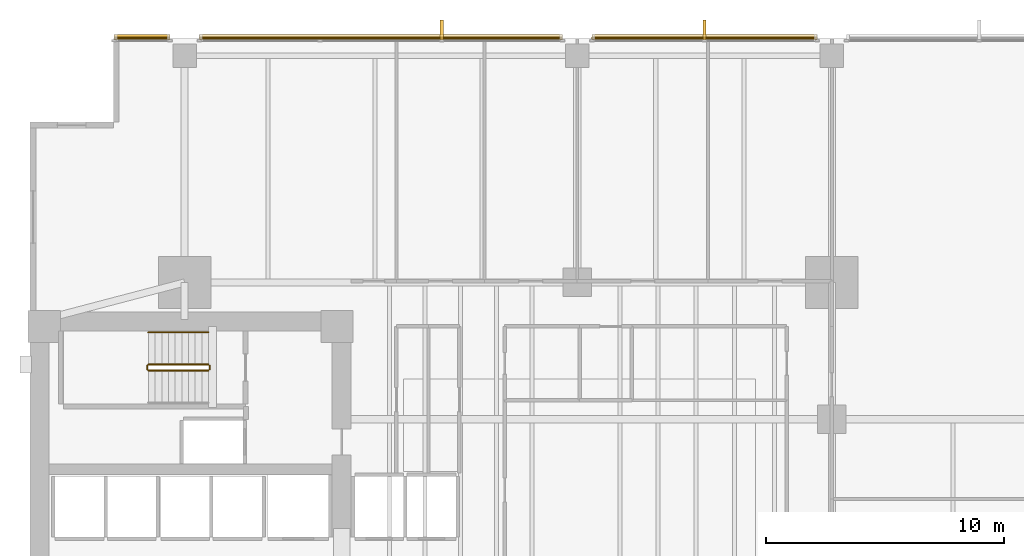
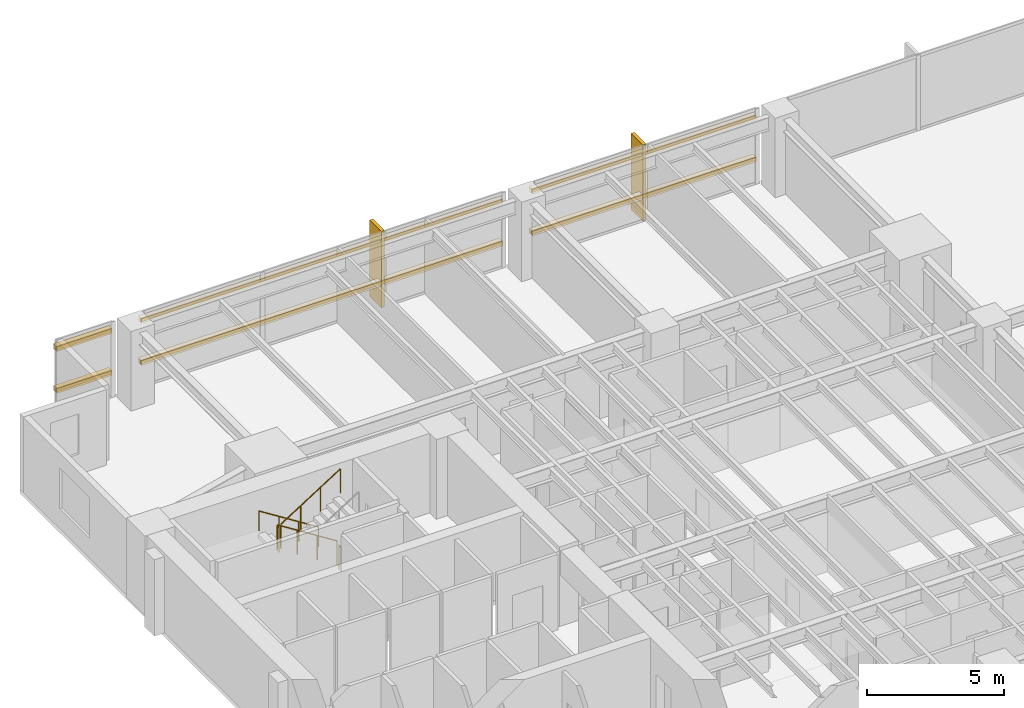
# One storey, part 14 of 15: 8 coverings, 6 shading devices, 5 railings.
"""IFC4 building model written with IfcOpenShell, lengths in metres."""

from ifc_helpers import new_model, si_unit, direction, frame, origin, origin_2d, place, context, subcontext, project, spatial, polyline, rectangle, circle, outline, extrude, material, layer, layer_set, material_profile, profile_set, type_object, element, save


model = new_model("IFC4")

# Units and contexts
model_context = context("Model", 3, precision=1e-05, world=origin(), true_north=direction((0.0, 1.0)))
body_context = subcontext(model_context, "Body", "Model", "MODEL_VIEW")
ifc_project = project(units=[si_unit("LENGTHUNIT", "METRE"), si_unit("AREAUNIT", "SQUARE_METRE"), si_unit("VOLUMEUNIT", "CUBIC_METRE"), si_unit("PLANEANGLEUNIT", "RADIAN"), si_unit("MASSUNIT", "GRAM", prefix="KILO")], contexts=[model_context])

# Site, building, storey
site_placement = place(None, origin())
site = spatial("IfcSite", under=ifc_project, at=site_placement, CompositionType="ELEMENT")
building_placement = place(site_placement, origin())
building = spatial("IfcBuilding", under=site, at=building_placement, Name="Kinhvarn Gate Tower", CompositionType="ELEMENT")
storey_placement = place(building_placement, frame((0.0, 0.0, 57.550048828125)))
storey = spatial("IfcBuildingStorey", under=building, at=storey_placement, Name="L14", CompositionType="ELEMENT", Elevation=57.550048828125)

# Coverings
ifc_material_1 = material(Name="Fired architectural terracotta", Category="masonry")
ifc_layer_1 = layer(ifc_material_1, 0.239990234375)
ifc_layer_set_1 = layer_set([ifc_layer_1], Name="Fired architectural terracotta")
covering_type_1 = type_object("IfcCoveringType", Name="COV-BAG-220", PredefinedType="CLADDING", material=ifc_layer_set_1)
for number, where, name in (
    (1, (0.0, 0.0, 0.93994140625), "Terracotta Horizontal Sunscreen Band TBG-220 (L14)"),
    (2, (0.0, 0.0, 2.81005859375), "Terracotta Horizontal Sunscreen Band TBG-220 (L14)"),
):
    element("IfcCovering", number, at=place(storey_placement, frame(where)), inside=storey, type_object=covering_type_1, Name=name, PredefinedType="CLADDING", context=body_context, shape_type="SweptSolid", body=[
        extrude(outline(polyline([(37.580078125, 47.93994140625), (28.1201171875, 47.93994140625), (28.1201171875, 48.179931640625), (37.580078125, 48.179931640625), (37.580078125, 47.93994140625)])), origin(), (0.0, 0.0, 1.0), 0.219970703125),
    ])
for number, where, name in (
    (3, (0.0, 0.0, 0.93994140625), "Terracotta Horizontal Sunscreen Band TBG-220 (L14)"),
    (4, (0.0, 0.0, 2.81005859375), "Terracotta Horizontal Sunscreen Band TBG-220 (L14)"),
):
    element("IfcCovering", number, at=place(storey_placement, frame(where)), inside=storey, type_object=covering_type_1, Name=name, PredefinedType="CLADDING", context=body_context, shape_type="SweptSolid", body=[
        extrude(outline(polyline([(26.8798828125, 47.93994140625), (11.6201171875, 47.93994140625), (11.6201171875, 48.179931640625), (26.8798828125, 48.179931640625), (26.8798828125, 47.93994140625)])), origin(), (0.0, 0.0, 1.0), 0.219970703125),
    ])
for number, where, name in (
    (5, (0.0, 0.0, 0.93994140625), "Terracotta Horizontal Sunscreen Band TBG-220 (L14)"),
    (6, (0.0, 0.0, 2.81005859375), "Terracotta Horizontal Sunscreen Band TBG-220 (L14)"),
):
    element("IfcCovering", number, at=place(storey_placement, frame(where)), inside=storey, type_object=covering_type_1, Name=name, PredefinedType="CLADDING", context=body_context, shape_type="SweptSolid", body=[
        extrude(outline(polyline([(10.3798828125, 47.93994140625), (8.0400390625, 47.93994140625), (8.0400390625, 48.179931640625), (10.3798828125, 48.179931640625), (10.3798828125, 47.93994140625)])), origin(), (0.0, 0.0, 1.0), 0.219970703125),
    ])
ifc_layer_2 = layer(ifc_material_1, 0.139892578125)
ifc_layer_set_2 = layer_set([ifc_layer_2], Name="Fired architectural terracotta")
covering_type_2 = type_object("IfcCoveringType", Name="COV-FIN-850", PredefinedType="CLADDING", material=ifc_layer_set_2)
covering_1_placement = place(storey_placement, frame((0.0, 0.0, -0.02001953125)))
element("IfcCovering", 7, at=covering_1_placement, inside=storey, type_object=covering_type_2, Name="Vertical Terracotta Expressive Fin TFN-850 (L14)", PredefinedType="CLADDING", context=body_context, shape_type="SweptSolid", body=[
    extrude(outline(polyline([(32.919921875, 47.929931640625), (32.780029296875, 47.929931640625), (32.780029296875, 48.780029296875), (32.919921875, 48.780029296875), (32.919921875, 47.929931640625)])), origin(), (0.0, 0.0, 1.0), 3.409912109375),
])
covering_2_placement = place(storey_placement, frame((0.0, 0.0, -0.02001953125)))
element("IfcCovering", 8, at=covering_2_placement, inside=storey, type_object=covering_type_2, Name="Vertical Terracotta Expressive Fin TFN-850 (L14)", PredefinedType="CLADDING", context=body_context, shape_type="SweptSolid", body=[
    extrude(outline(polyline([(21.876708984375, 47.929931640625), (21.73681640625, 47.929931640625), (21.73681640625, 48.780029296875), (21.876708984375, 48.780029296875), (21.876708984375, 47.929931640625)])), origin(), (0.0, 0.0, 1.0), 3.409912109375),
])

# Railings
ifc_material_2 = material(Name="Steel S355", Category="steel")
railing_type_1 = type_object("IfcRailingType", Name="RL-ST-GRD", PredefinedType="BALUSTRADE", material=ifc_material_2)
railing_1_placement = place(storey_placement, frame((12.0, 34.300048828125, 0.177490234375)))
element("IfcRailing", 9, at=railing_1_placement, inside=storey, type_object=railing_type_1, Name="L14 ST2 stair guard 1", PredefinedType="BALUSTRADE", context=body_context, shape_type="SweptSolid", body=[
    extrude(circle(Radius=0.02392578125, at=origin_2d()), frame((0.0, 0.0, 1.076171875), z_axis=(-0.84460694969, 0.0, 0.535386869969), x_axis=(0.0, -1.0, 0.0)), (0.0, 0.0, 1.0), 2.983642578125),
    extrude(circle(Radius=0.02099609375, at=origin_2d()), origin(), (0.0, 0.0, 1.0), 1.052001953125),
    extrude(circle(Radius=0.02099609375, at=origin_2d()), frame((-0.840087890625, 0.0, 0.532470703125)), (0.0, 0.0, 1.0), 1.052001953125),
    extrude(circle(Radius=0.02099609375, at=origin_2d()), frame((-1.679931640625, 0.0, 1.06494140625)), (0.0, 0.0, 1.0), 1.052001953125),
    extrude(circle(Radius=0.02099609375, at=origin_2d()), frame((-2.52001953125, 0.0, 1.597412109375)), (0.0, 0.0, 1.0), 1.052001953125),
])
railing_2_placement = place(storey_placement, frame((9.429931640625, 34.25, 1.77490234375)))
element("IfcRailing", 10, at=railing_2_placement, inside=storey, type_object=railing_type_1, Name="L14 ST2 stair guard 2", PredefinedType="BALUSTRADE", context=body_context, shape_type="SweptSolid", body=[
    extrude(circle(Radius=0.02392578125, at=origin_2d()), frame((0.0, 0.0, 1.076171875), z_axis=(0.0, -1.0, 0.0), x_axis=(1.0, 0.0, 0.0)), (0.0, 0.0, 1.0), 0.14990234375),
    extrude(circle(Radius=0.02099609375, at=origin_2d()), origin(), (0.0, 0.0, 1.0), 1.052001953125),
    extrude(circle(Radius=0.02099609375, at=origin_2d()), frame((0.0, -0.14990234375, 0.0)), (0.0, 0.0, 1.0), 1.052001953125),
])
railing_3_placement = place(storey_placement, frame((9.47998046875, 34.050048828125, 1.952392578125)))
element("IfcRailing", 11, at=railing_3_placement, inside=storey, type_object=railing_type_1, Name="L14 ST2 stair guard 3", PredefinedType="BALUSTRADE", context=body_context, shape_type="SweptSolid", body=[
    extrude(circle(Radius=0.02392578125, at=origin_2d()), frame((0.0, 0.0, 1.076171875), z_axis=(0.84456994832, 0.0, 0.535445237532), x_axis=(0.0, 1.0, 0.0)), (0.0, 0.0, 1.0), 2.98388671875),
    extrude(circle(Radius=0.02099609375, at=origin_2d()), origin(), (0.0, 0.0, 1.0), 1.052001953125),
    extrude(circle(Radius=0.02099609375, at=origin_2d()), frame((0.840087890625, 0.0, 0.532470703125)), (0.0, 0.0, 1.0), 1.052001953125),
    extrude(circle(Radius=0.02099609375, at=origin_2d()), frame((1.679931640625, 0.0, 1.065185546875)), (0.0, 0.0, 1.0), 1.052001953125),
    extrude(circle(Radius=0.02099609375, at=origin_2d()), frame((2.52001953125, 0.0, 1.59765625)), (0.0, 0.0, 1.0), 1.052001953125),
])
railing_4_placement = place(storey_placement, frame((12.050048828125, 34.25, 0.0)))
element("IfcRailing", 12, at=railing_4_placement, inside=storey, type_object=railing_type_1, Name="L14 ST2 stair guard 4", PredefinedType="BALUSTRADE", context=body_context, shape_type="SweptSolid", body=[
    extrude(circle(Radius=0.02392578125, at=origin_2d()), frame((0.0, 0.0, 1.076171875), z_axis=(0.0, -1.0, 0.0), x_axis=(1.0, 0.0, 0.0)), (0.0, 0.0, 1.0), 0.14990234375),
    extrude(circle(Radius=0.02099609375, at=origin_2d()), origin(), (0.0, 0.0, 1.0), 1.052001953125),
    extrude(circle(Radius=0.02099609375, at=origin_2d()), frame((0.0, -0.14990234375, 0.0)), (0.0, 0.0, 1.0), 1.052001953125),
])
railing_type_2 = type_object("IfcRailingType", Name="RL-ST-HND", PredefinedType="HANDRAIL", material=ifc_material_2)
railing_5_placement = place(storey_placement, frame((12.0, 35.64990234375, 0.177490234375)))
element("IfcRailing", 13, at=railing_5_placement, inside=storey, type_object=railing_type_2, Name="L14 ST2 stair handrail 1", PredefinedType="HANDRAIL", context=body_context, shape_type="SweptSolid", body=[
    extrude(circle(Radius=0.02392578125, at=origin_2d()), frame((0.0, 0.0, 0.8759765625), z_axis=(-0.84460694969, 0.0, 0.535386869969), x_axis=(0.0, -1.0, 0.0)), (0.0, 0.0, 1.0), 2.983642578125),
    extrude(circle(Radius=0.02099609375, at=origin_2d()), origin(), (0.0, 0.0, 1.0), 0.851806640625),
    extrude(circle(Radius=0.02099609375, at=origin_2d()), frame((-0.840087890625, 0.0, 0.532470703125)), (0.0, 0.0, 1.0), 0.851806640625),
    extrude(circle(Radius=0.02099609375, at=origin_2d()), frame((-1.679931640625, 0.0, 1.06494140625)), (0.0, 0.0, 1.0), 0.851806640625),
    extrude(circle(Radius=0.02099609375, at=origin_2d()), frame((-2.52001953125, 0.0, 1.597412109375)), (0.0, 0.0, 1.0), 0.851806640625),
])

# Shading devices
ifc_material_profile = material_profile(ifc_material_1, rectangle(XDim=0.06005859375, YDim=0.139892578125, at=origin_2d()), Name="TC 60x140")
ifc_profile_set = profile_set([ifc_material_profile], Name="Fired architectural terracotta")
shading_device_type = type_object("IfcShadingDeviceType", Name="SHD-BAG-180", PredefinedType="USERDEFINED", material=ifc_profile_set)
for number, where, z_axis, x_axis, name in (
    (14, (37.580078125, 48.014892578125, 1.050048828125), (-1.0, 0.0, 0.0), (0.0, -1.0, 0.0), "Fired Terracotta Baguette Screen Rod 60x140 mm (L14)"),
    (15, (37.580078125, 48.014892578125, 2.919921875), (-1.0, 0.0, 0.0), (0.0, -1.0, 0.0), "Fired Terracotta Baguette Screen Rod 60x140 mm (L14)"),
):
    element("IfcShadingDevice", number, at=place(storey_placement, frame(where, z_axis=z_axis, x_axis=x_axis)), inside=storey, type_object=shading_device_type, Name=name, ObjectType="BAGUETTE", PredefinedType="USERDEFINED", context=body_context, shape_type="SweptSolid", body=[
        extrude(rectangle(XDim=0.06005859375, YDim=0.139892578125, at=origin_2d()), origin(), (0.0, 0.0, 1.0), 9.4599609375),
    ])
for number, where, z_axis, x_axis, name in (
    (16, (26.8798828125, 48.014892578125, 1.050048828125), (-1.0, 0.0, 0.0), (0.0, -1.0, 0.0), "Fired Terracotta Baguette Screen Rod 60x140 mm (L14)"),
    (17, (26.8798828125, 48.014892578125, 2.919921875), (-1.0, 0.0, 0.0), (0.0, -1.0, 0.0), "Fired Terracotta Baguette Screen Rod 60x140 mm (L14)"),
):
    element("IfcShadingDevice", number, at=place(storey_placement, frame(where, z_axis=z_axis, x_axis=x_axis)), inside=storey, type_object=shading_device_type, Name=name, ObjectType="BAGUETTE", PredefinedType="USERDEFINED", context=body_context, shape_type="SweptSolid", body=[
        extrude(rectangle(XDim=0.06005859375, YDim=0.139892578125, at=origin_2d()), origin(), (0.0, 0.0, 1.0), 15.259765625),
    ])
for number, where, z_axis, x_axis, name in (
    (18, (10.3798828125, 48.014892578125, 1.050048828125), (-1.0, 0.0, 0.0), (0.0, -1.0, 0.0), "Fired Terracotta Baguette Screen Rod 60x140 mm (L14)"),
    (19, (10.3798828125, 48.014892578125, 2.919921875), (-1.0, 0.0, 0.0), (0.0, -1.0, 0.0), "Fired Terracotta Baguette Screen Rod 60x140 mm (L14)"),
):
    element("IfcShadingDevice", number, at=place(storey_placement, frame(where, z_axis=z_axis, x_axis=x_axis)), inside=storey, type_object=shading_device_type, Name=name, ObjectType="BAGUETTE", PredefinedType="USERDEFINED", context=body_context, shape_type="SweptSolid", body=[
        extrude(rectangle(XDim=0.06005859375, YDim=0.139892578125, at=origin_2d()), origin(), (0.0, 0.0, 1.0), 2.33984375),
    ])

save(model, "model.ifc")
